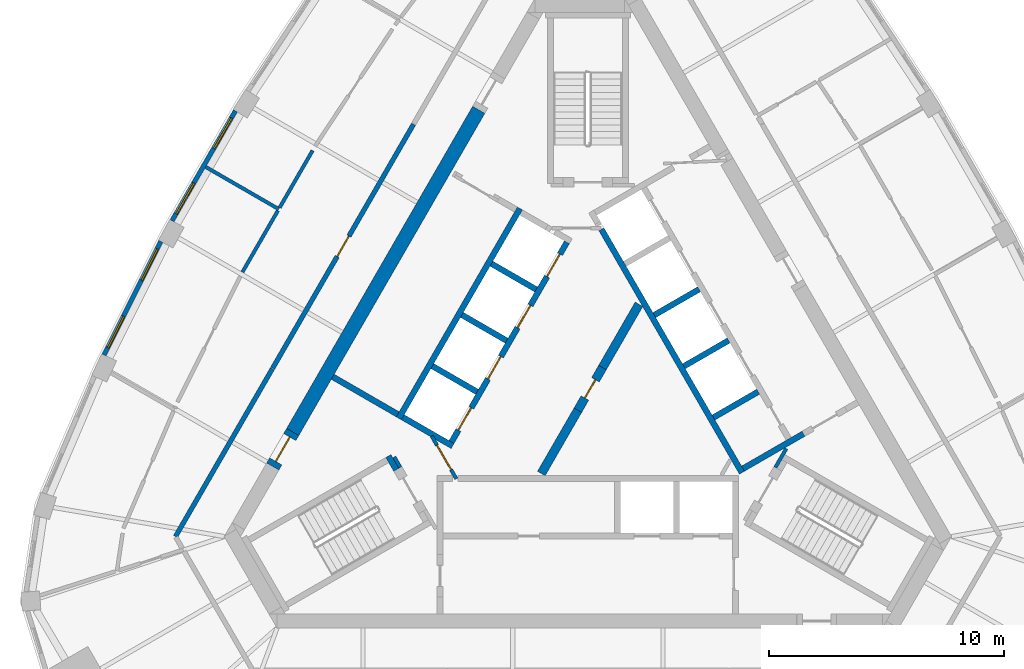
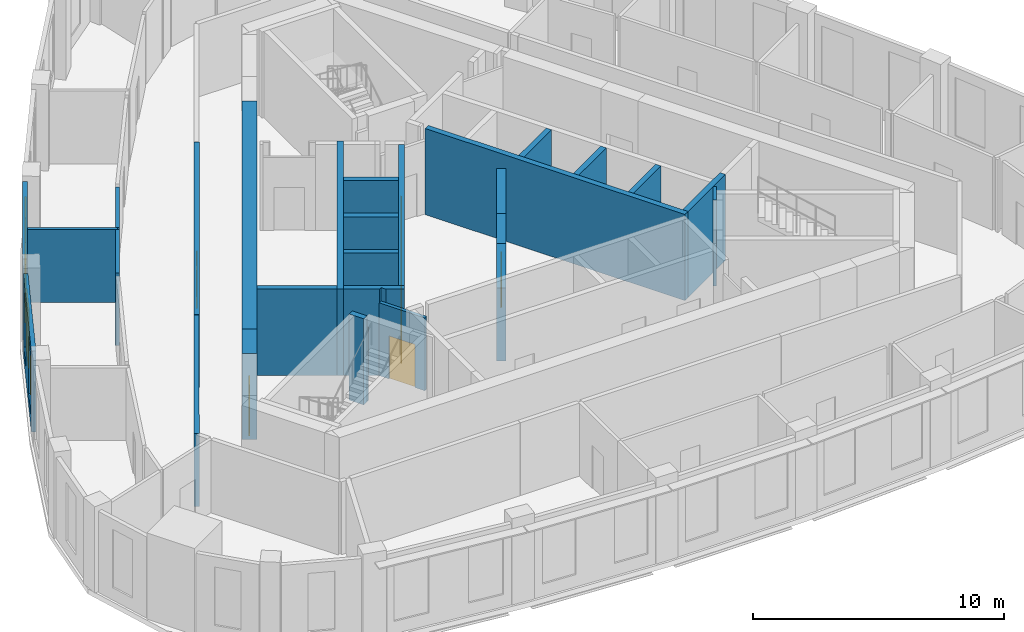
# One storey, part 5 of 10: 28 walls, 8 doors, 4 windows, 12 openings.
"""IFC4 building model written with IfcOpenShell, lengths in metres."""

from ifc_helpers import new_model, si_unit, direction, frame, frame_2d, origin, place, context, subcontext, project, spatial, polyline, rectangle, outline, extrude, material, layer, layer_set, type_object, element, fill, save


model = new_model("IFC4")

# Units and contexts
model_context = context("Model", 3, precision=1e-05, world=origin(), true_north=direction((0.0, 1.0)))
body_context = subcontext(model_context, "Body", "Model", "MODEL_VIEW")
ifc_project = project(units=[si_unit("LENGTHUNIT", "METRE"), si_unit("AREAUNIT", "SQUARE_METRE"), si_unit("VOLUMEUNIT", "CUBIC_METRE"), si_unit("PLANEANGLEUNIT", "RADIAN"), si_unit("MASSUNIT", "GRAM", prefix="KILO")], contexts=[model_context])

# Site, building, storey
site_placement = place(None, origin())
site = spatial("IfcSite", under=ifc_project, at=site_placement, CompositionType="ELEMENT")
building_placement = place(site_placement, origin())
building = spatial("IfcBuilding", under=site, at=building_placement, Name="Mestral Congress Tower", CompositionType="ELEMENT")
storey_placement = place(building_placement, frame((0.0, 0.0, 267.0)))
storey = spatial("IfcBuildingStorey", under=building, at=storey_placement, Name="L62", CompositionType="ELEMENT", Elevation=267.0)

# Walls
ifc_material_1 = material(Name="Fire-rated board partition")
ifc_layer_1 = layer(ifc_material_1, 0.14990234375)
ifc_layer_set_1 = layer_set([ifc_layer_1], Name="Fire-rated board partition")
wall_type_1 = type_object("IfcWallType", Name="Core partition 150", PredefinedType="PARTITIONING", material=ifc_layer_set_1)
wall_1_placement = place(storey_placement, frame((-8.251953125, -2.958251953125, 0.0), z_axis=(0.0, 0.0, 1.0), x_axis=(0.500174715838, -0.865924508047, 0.0)))
element("IfcWall", 1, at=wall_1_placement, inside=storey, type_object=wall_type_1, Name="L62 core wall", PredefinedType="PARTITIONING", context=body_context, shape_type="SweptSolid", body=[
    extrude(rectangle(XDim=0.513916015625, YDim=0.14990234375, at=frame_2d((0.2568359375, 0.0))), origin(), (0.0, 0.0, 1.0), 3.550048828125),
])
placement = place(storey_placement, origin())
element("IfcWall", 2, at=placement, inside=storey, type_object=wall_type_1, Name="L62 core wall", PredefinedType="PARTITIONING", context=body_context, shape_type="SweptSolid", body=[
    extrude(outline(polyline([(2.016845703125, 3.64306640625), (2.341552734375, 3.45556640625), (0.784912109375, 0.759521484375), (0.460205078125, 0.947021484375), (2.016845703125, 3.64306640625)])), origin(), (0.0, 0.0, 1.0), 3.550048828125),
])
element("IfcWall", 3, at=placement, inside=storey, type_object=wall_type_1, Name="L62 core wall", PredefinedType="PARTITIONING", context=body_context, shape_type="SweptSolid", body=[
    extrude(outline(polyline([(-0.590087890625, -0.871826171875), (-0.26513671875, -1.059326171875), (-1.822021484375, -3.755615234375), (-2.146728515625, -3.568115234375), (-0.590087890625, -0.871826171875)])), origin(), (0.0, 0.0, 1.0), 3.550048828125),
])

# Wall, opening, door
wall_4_placement = place(storey_placement, frame((-5.606201171875, -3.8896484375, 0.0), z_axis=(0.0, 0.0, 1.0), x_axis=(-0.500027713859, 0.866009402589, 0.0)))
wall_4 = element("IfcWall", 4, at=wall_4_placement, inside=storey, type_object=wall_type_1, Name="L62 door wall", PredefinedType="PARTITIONING", context=body_context, shape_type="SweptSolid", body=[
    extrude(rectangle(XDim=2.10009765625, YDim=0.14990234375, at=frame_2d((1.050048828125, 0.0))), origin(), (0.0, 0.0, 1.0), 3.550048828125),
])
opening_1_placement = place(wall_4_placement, frame((0.449951171875, 0.0, 0.0)))
opening_1 = element("IfcOpeningElement", 5, at=opening_1_placement, cuts=wall_4, Name="Opening CD3-FF", PredefinedType="OPENING", context=body_context, shape_type="SweptSolid", body=[
    extrude(rectangle(XDim=1.199951171875, YDim=2.10009765625, at=frame_2d((0.60009765625, 1.050048828125))), frame((0.0, 0.0849609375, 0.0), z_axis=(0.0, -1.0, 0.0), x_axis=(1.0, 0.0, 0.0)), (0.0, 0.0, 1.0), 0.169921875),
])
ifc_material_2 = material(Name="Fire-rated steel door set", Category="steel")
door_type_1 = type_object("IfcDoorType", Name="Core door CD 1200x2100", OperationType="SINGLE_SWING_LEFT", PredefinedType="DOOR", material=ifc_material_2)
door_1_placement = place(opening_1_placement, origin())
door_1 = element("IfcDoor", 6, at=door_1_placement, inside=storey, type_object=door_type_1, Name="Door CD3-FF", OperationType="SINGLE_SWING_LEFT", OverallHeight=2.10009765625, OverallWidth=1.199951171875, PredefinedType="DOOR", context=body_context, shape_type="SweptSolid", body=[
    extrude(rectangle(XDim=1.199951171875, YDim=2.10009765625, at=frame_2d((0.60009765625, 1.050048828125))), frame((0.0, 0.02490234375, 0.0), z_axis=(0.0, -1.0, 0.0), x_axis=(1.0, 0.0, 0.0)), (0.0, 0.0, 1.0), 0.050048828125),
])
fill(opening_1, door_1)

ifc_layer_2 = layer(ifc_material_1, 0.375)
ifc_layer_set_2 = layer_set([ifc_layer_2], Name="Fire-rated board partition")
wall_type_2 = type_object("IfcWallType", Name="Core partition 150 door-wall 375", PredefinedType="PARTITIONING", material=ifc_layer_set_2)
wall_5_placement = place(storey_placement, frame((-0.427490234375, -0.965576171875, 0.0), z_axis=(0.0, 0.0, 1.0), x_axis=(0.49994051562, 0.866059744384, 0.0)))
wall_5 = element("IfcWall", 7, at=wall_5_placement, inside=storey, type_object=wall_type_2, Name="L62 door wall", PredefinedType="PARTITIONING", context=body_context, shape_type="SweptSolid", body=[
    extrude(rectangle(XDim=2.099853515625, YDim=0.375, at=frame_2d((1.0498046875, 0.0))), origin(), (0.0, 0.0, 1.0), 3.550048828125),
])
opening_2_placement = place(wall_5_placement, frame((0.60009765625, 0.0, 0.0)))
opening_2 = element("IfcOpeningElement", 8, at=opening_2_placement, cuts=wall_5, Name="Opening CD1-HUB0", PredefinedType="OPENING", context=body_context, shape_type="SweptSolid", body=[
    extrude(rectangle(XDim=0.89990234375, YDim=2.10009765625, at=frame_2d((0.449951171875, 1.050048828125))), frame((0.0, 0.197509765625, 0.0), z_axis=(0.0, -1.0, 0.0), x_axis=(1.0, 0.0, 0.0)), (0.0, 0.0, 1.0), 0.39501953125),
])
door_type_2 = type_object("IfcDoorType", Name="Core door CD 900x2100", OperationType="SINGLE_SWING_LEFT", PredefinedType="DOOR", material=ifc_material_2)
door_2_placement = place(opening_2_placement, origin())
door_2 = element("IfcDoor", 9, at=door_2_placement, inside=storey, type_object=door_type_2, Name="Door CD1-HUB0", OperationType="SINGLE_SWING_LEFT", OverallHeight=2.10009765625, OverallWidth=0.89990234375, PredefinedType="DOOR", context=body_context, shape_type="SweptSolid", body=[
    extrude(rectangle(XDim=0.89990234375, YDim=2.10009765625, at=frame_2d((0.449951171875, 1.050048828125))), frame((0.0, 0.02490234375, 0.0), z_axis=(0.0, -1.0, 0.0), x_axis=(1.0, 0.0, 0.0)), (0.0, 0.0, 1.0), 0.050048828125),
])
fill(opening_2, door_2)

# Wall
ifc_material_3 = material(Name="Concrete C60/75", Category="concrete")
ifc_layer_3 = layer(ifc_material_3, 0.60009765625)
ifc_layer_set_3 = layer_set([ifc_layer_3], Name="Concrete C60/75")
wall_type_3 = type_object("IfcWallType", Name="Core wall RC 600", PredefinedType="SOLIDWALL", material=ifc_layer_set_3)
wall_6_placement = place(storey_placement, frame((-4.65234375, 11.841796875, 0.0), z_axis=(0.0, 0.0, 1.0), x_axis=(-0.500003640647, -0.866023301845, 0.0)))
element("IfcWall", 10, at=wall_6_placement, inside=storey, type_object=wall_type_3, Name="L62 core wall", PredefinedType="SOLIDWALL", context=body_context, shape_type="SweptSolid", body=[
    extrude(rectangle(XDim=15.8583984375, YDim=0.60009765625, at=frame_2d((7.92919921875, 0.0))), origin(), (0.0, 0.0, 1.0), 4.199951171875),
])

# Wall, opening, door
wall_7_placement = place(storey_placement, frame((-13.431640625, -3.3642578125, 0.0), z_axis=(0.0, 0.0, 1.0), x_axis=(0.500000056704, 0.866025371046, 0.0)))
wall_7 = element("IfcWall", 11, at=wall_7_placement, inside=storey, type_object=wall_type_3, Name="L62 door wall", PredefinedType="SOLIDWALL", context=body_context, shape_type="SweptSolid", body=[
    extrude(rectangle(XDim=1.7001953125, YDim=0.60009765625, at=frame_2d((0.85009765625, 0.0))), origin(), (0.0, 0.0, 1.0), 4.199951171875),
])
opening_3_placement = place(wall_7_placement, frame((0.25, 0.0, 0.0)))
opening_3 = element("IfcOpeningElement", 12, at=opening_3_placement, cuts=wall_7, Name="Opening XD3", PredefinedType="OPENING", context=body_context, shape_type="SweptSolid", body=[
    extrude(rectangle(XDim=1.199951171875, YDim=2.10009765625, at=frame_2d((0.60009765625, 1.050048828125))), frame((0.0, 0.31005859375, 0.0), z_axis=(0.0, -1.0, 0.0), x_axis=(1.0, 0.0, 0.0)), (0.0, 0.0, 1.0), 0.6201171875),
])
door_type_3 = type_object("IfcDoorType", Name="Core door XD 1200x2100", OperationType="SINGLE_SWING_LEFT", PredefinedType="DOOR", material=ifc_material_2)
door_3_placement = place(opening_3_placement, origin())
door_3 = element("IfcDoor", 13, at=door_3_placement, inside=storey, type_object=door_type_3, Name="Door XD3", OperationType="SINGLE_SWING_LEFT", OverallHeight=2.10009765625, OverallWidth=1.199951171875, PredefinedType="DOOR", context=body_context, shape_type="SweptSolid", body=[
    extrude(rectangle(XDim=1.199951171875, YDim=2.10009765625, at=frame_2d((0.60009765625, 1.050048828125))), frame((0.0, 0.02490234375, 0.0), z_axis=(0.0, -1.0, 0.0), x_axis=(1.0, 0.0, 0.0)), (0.0, 0.0, 1.0), 0.050048828125),
])
fill(opening_3, door_3)

# Wall, openings, windows
ifc_material_4 = material(Name="Precast concrete C40/50 with limestone facing", Category="masonry")
ifc_layer_4 = layer(ifc_material_4, 0.18994140625)
ifc_layer_set_4 = layer_set([ifc_layer_4], Name="Precast concrete C40/50 with limestone facing")
wall_type_4 = type_object("IfcWallType", Name="Facade stone wall 190", PredefinedType="SOLIDWALL", material=ifc_layer_set_4)
wall_8_placement = place(storey_placement, frame((-15.025146484375, 11.7958984375, 0.0), z_axis=(0.0, 0.0, 1.0), x_axis=(-0.500024767483, -0.866011103799, 0.0)))
wall_8 = element("IfcWall", 14, at=wall_8_placement, inside=storey, type_object=wall_type_4, Name="Facade wall F2-02", PredefinedType="SOLIDWALL", context=body_context, shape_type="SweptSolid", body=[
    extrude(rectangle(XDim=5.406005859375, YDim=0.18994140625, at=frame_2d((2.703125, 0.0))), origin(), (0.0, 0.0, 1.0), 3.949951171875),
])
opening_4_placement = place(wall_8_placement, frame((0.346435546875, 0.0, 0.60009765625)))
opening_4 = element("IfcOpeningElement", 15, at=opening_4_placement, cuts=wall_8, Name="Opening W6", PredefinedType="OPENING", context=body_context, shape_type="SweptSolid", body=[
    extrude(rectangle(XDim=1.5, YDim=2.85009765625, at=frame_2d((0.75, 1.425048828125))), frame((0.0, 0.10498046875, 0.0), z_axis=(0.0, -1.0, 0.0), x_axis=(1.0, 0.0, 0.0)), (0.0, 0.0, 1.0), 0.2099609375),
])
opening_5_placement = place(wall_8_placement, frame((3.559326171875, 0.0, 0.60009765625)))
opening_5 = element("IfcOpeningElement", 16, at=opening_5_placement, cuts=wall_8, Name="Opening W6", PredefinedType="OPENING", context=body_context, shape_type="SweptSolid", body=[
    extrude(rectangle(XDim=1.5, YDim=2.85009765625, at=frame_2d((0.75, 1.425048828125))), frame((0.0, 0.10498046875, 0.0), z_axis=(0.0, -1.0, 0.0), x_axis=(1.0, 0.0, 0.0)), (0.0, 0.0, 1.0), 0.2099609375),
])
ifc_material_5 = material(Name="Clear low-emissivity double glazing", Category="glass")
window_type = type_object("IfcWindowType", Name="Facade punched window 1500 x 2850 sill 600", PartitioningType="SINGLE_PANEL", PredefinedType="WINDOW", material=ifc_material_5)
window_1_placement = place(opening_4_placement, origin())
window_1 = element("IfcWindow", 17, at=window_1_placement, inside=storey, type_object=window_type, Name="Window F2-02a", OverallHeight=2.85009765625, OverallWidth=1.5, PartitioningType="SINGLE_PANEL", PredefinedType="WINDOW", context=body_context, shape_type="SweptSolid", body=[
    extrude(rectangle(XDim=1.5, YDim=2.85009765625, at=frame_2d((0.75, 1.425048828125))), frame((0.0, 0.044921875, 0.0), z_axis=(0.0, -1.0, 0.0), x_axis=(1.0, 0.0, 0.0)), (0.0, 0.0, 1.0), 0.06005859375),
])
fill(opening_4, window_1)
window_2_placement = place(opening_5_placement, origin())
window_2 = element("IfcWindow", 18, at=window_2_placement, inside=storey, type_object=window_type, Name="Window F2-02b", OverallHeight=2.85009765625, OverallWidth=1.5, PartitioningType="SINGLE_PANEL", PredefinedType="WINDOW", context=body_context, shape_type="SweptSolid", body=[
    extrude(rectangle(XDim=1.5, YDim=2.85009765625, at=frame_2d((0.75, 1.425048828125))), frame((0.0, 0.044921875, 0.0), z_axis=(0.0, -1.0, 0.0), x_axis=(1.0, 0.0, 0.0)), (0.0, 0.0, 1.0), 0.06005859375),
])
fill(opening_5, window_2)

wall_9_placement = place(storey_placement, frame((-18.205810546875, 6.226806640625, 0.0), z_axis=(0.0, 0.0, 1.0), x_axis=(-0.447484531401, -0.894291671747, 0.0)))
wall_9 = element("IfcWall", 19, at=wall_9_placement, inside=storey, type_object=wall_type_4, Name="Facade wall F2-03", PredefinedType="SOLIDWALL", context=body_context, shape_type="SweptSolid", body=[
    extrude(rectangle(XDim=5.40625, YDim=0.18994140625, at=frame_2d((2.703125, 0.0))), origin(), (0.0, 0.0, 1.0), 3.949951171875),
])
opening_6_placement = place(wall_9_placement, frame((0.346435546875, 0.0, 0.60009765625)))
opening_6 = element("IfcOpeningElement", 20, at=opening_6_placement, cuts=wall_9, Name="Opening W6", PredefinedType="OPENING", context=body_context, shape_type="SweptSolid", body=[
    extrude(rectangle(XDim=1.5, YDim=2.85009765625, at=frame_2d((0.75, 1.425048828125))), frame((0.0, 0.10498046875, 0.0), z_axis=(0.0, -1.0, 0.0), x_axis=(1.0, 0.0, 0.0)), (0.0, 0.0, 1.0), 0.2099609375),
])
opening_7_placement = place(wall_9_placement, frame((3.559326171875, 0.0, 0.60009765625)))
opening_7 = element("IfcOpeningElement", 21, at=opening_7_placement, cuts=wall_9, Name="Opening W6", PredefinedType="OPENING", context=body_context, shape_type="SweptSolid", body=[
    extrude(rectangle(XDim=1.5, YDim=2.85009765625, at=frame_2d((0.75, 1.425048828125))), frame((0.0, 0.10498046875, 0.0), z_axis=(0.0, -1.0, 0.0), x_axis=(1.0, 0.0, 0.0)), (0.0, 0.0, 1.0), 0.2099609375),
])
window_3_placement = place(opening_6_placement, origin())
window_3 = element("IfcWindow", 22, at=window_3_placement, inside=storey, type_object=window_type, Name="Window F2-03a", OverallHeight=2.85009765625, OverallWidth=1.5, PartitioningType="SINGLE_PANEL", PredefinedType="WINDOW", context=body_context, shape_type="SweptSolid", body=[
    extrude(rectangle(XDim=1.5, YDim=2.85009765625, at=frame_2d((0.75, 1.425048828125))), frame((0.0, 0.044921875, 0.0), z_axis=(0.0, -1.0, 0.0), x_axis=(1.0, 0.0, 0.0)), (0.0, 0.0, 1.0), 0.06005859375),
])
fill(opening_6, window_3)
window_4_placement = place(opening_7_placement, origin())
window_4 = element("IfcWindow", 23, at=window_4_placement, inside=storey, type_object=window_type, Name="Window F2-03b", OverallHeight=2.85009765625, OverallWidth=1.5, PartitioningType="SINGLE_PANEL", PredefinedType="WINDOW", context=body_context, shape_type="SweptSolid", body=[
    extrude(rectangle(XDim=1.5, YDim=2.85009765625, at=frame_2d((0.75, 1.425048828125))), frame((0.0, 0.044921875, 0.0), z_axis=(0.0, -1.0, 0.0), x_axis=(1.0, 0.0, 0.0)), (0.0, 0.0, 1.0), 0.06005859375),
])
fill(opening_7, window_4)

# Walls
ifc_material_6 = material(Name="Plasterboard partition on steel studs", Category="steel")
ifc_layer_5 = layer(ifc_material_6, 0.14990234375)
ifc_layer_set_5 = layer_set([ifc_layer_5], Name="Plasterboard partition on steel studs")
wall_type_5 = type_object("IfcWallType", Name="Office partition 150", PredefinedType="PARTITIONING", material=ifc_layer_set_5)
wall_10_placement = place(storey_placement, frame((-13.1767578125, 7.607666015625, 0.0), z_axis=(0.0, 0.0, 1.0), x_axis=(-0.866018442252, 0.500012057535, 0.0)))
element("IfcWall", 24, at=wall_10_placement, inside=storey, type_object=wall_type_5, Name="Partition", PredefinedType="PARTITIONING", context=body_context, shape_type="SweptSolid", body=[
    extrude(rectangle(XDim=3.60009765625, YDim=0.14990234375, at=frame_2d((1.800048828125, 0.0))), origin(), (0.0, 0.0, 1.0), 3.550048828125),
])
wall_11_placement = place(storey_placement, frame((-11.735595703125, 10.10400390625, 0.0), z_axis=(0.0, 0.0, 1.0), x_axis=(-0.500011000363, -0.866019052629, 0.0)))
element("IfcWall", 25, at=wall_11_placement, inside=storey, type_object=wall_type_5, Name="Partition", PredefinedType="PARTITIONING", context=body_context, shape_type="SweptSolid", body=[
    extrude(rectangle(XDim=2.8076171875, YDim=0.14990234375, at=frame_2d((1.40380859375, 0.0))), origin(), (0.0, 0.0, 1.0), 3.550048828125),
])
wall_12_placement = place(storey_placement, frame((-13.21435546875, 7.542724609375, 0.0), z_axis=(0.0, 0.0, 1.0), x_axis=(-0.499927597274, -0.866067201483, 0.0)))
element("IfcWall", 26, at=wall_12_placement, inside=storey, type_object=wall_type_5, Name="Partition", PredefinedType="PARTITIONING", context=body_context, shape_type="SweptSolid", body=[
    extrude(rectangle(XDim=3.02197265625, YDim=0.14990234375, at=frame_2d((1.510986328125, 0.0))), origin(), (0.0, 0.0, 1.0), 3.550048828125),
])

# Wall, opening, door
ifc_material_7 = material(Name="Dense masonry wall, plastered", Category="masonry")
ifc_layer_6 = layer(ifc_material_7, 0.199951171875)
ifc_layer_set_6 = layer_set([ifc_layer_6], Name="Dense masonry wall, plastered")
wall_type_6 = type_object("IfcWallType", Name="Office tenancy wall 200", PredefinedType="PARTITIONING", material=ifc_layer_set_6)
wall_13_placement = place(storey_placement, frame((-7.435546875, 11.22119140625, 0.0), z_axis=(0.0, 0.0, 1.0), x_axis=(-0.49999894854, -0.866026010844, 0.0)))
wall_13 = element("IfcWall", 27, at=wall_13_placement, inside=storey, type_object=wall_type_6, Name="Tenancy wall", PredefinedType="PARTITIONING", context=body_context, shape_type="SweptSolid", body=[
    extrude(rectangle(XDim=12.0, YDim=0.199951171875, at=frame_2d((6.0, 0.0))), origin(), (0.0, 0.0, 1.0), 3.550048828125),
])
opening_8_placement = place(wall_13_placement, frame((5.5, 0.0, 0.0)))
opening_8 = element("IfcOpeningElement", 28, at=opening_8_placement, cuts=wall_13, Name="Opening O11-018", PredefinedType="OPENING", context=body_context, shape_type="SweptSolid", body=[
    extrude(rectangle(XDim=1.0, YDim=2.10009765625, at=frame_2d((0.5, 1.050048828125))), frame((0.0, 0.10986328125, 0.0), z_axis=(0.0, -1.0, 0.0), x_axis=(1.0, 0.0, 0.0)), (0.0, 0.0, 1.0), 0.219970703125),
])
ifc_material_8 = material(Name="Fire-rated timber door set", Category="wood")
door_type_4 = type_object("IfcDoorType", Name="Office tenancy entrance door 1000x2100", OperationType="SINGLE_SWING_LEFT", PredefinedType="DOOR", material=ifc_material_8)
door_4_placement = place(opening_8_placement, origin())
door_4 = element("IfcDoor", 29, at=door_4_placement, inside=storey, type_object=door_type_4, Name="Door O11-018", OperationType="SINGLE_SWING_RIGHT", OverallHeight=2.10009765625, OverallWidth=1.0, PredefinedType="DOOR", context=body_context, shape_type="SweptSolid", body=[
    extrude(rectangle(XDim=1.0, YDim=2.10009765625, at=frame_2d((0.5, 1.050048828125))), frame((0.0, 0.02490234375, 0.0), z_axis=(0.0, -1.0, 0.0), x_axis=(1.0, 0.0, 0.0)), (0.0, 0.0, 1.0), 0.050048828125),
])
fill(opening_8, door_4)

# Walls
wall_14_placement = place(storey_placement, frame((-13.45068359375, 0.802978515625, 0.0), z_axis=(0.0, 0.0, 1.0), x_axis=(-0.499982585408, -0.86603545787, 0.0)))
element("IfcWall", 30, at=wall_14_placement, inside=storey, type_object=wall_type_6, Name="Tenancy wall", PredefinedType="PARTITIONING", context=body_context, shape_type="SweptSolid", body=[
    extrude(rectangle(XDim=8.259521484375, YDim=0.199951171875, at=frame_2d((4.1298828125, 0.0))), origin(), (0.0, 0.0, 1.0), 3.550048828125),
])
ifc_layer_7 = layer(ifc_material_3, 0.25)
ifc_layer_set_7 = layer_set([ifc_layer_7], Name="Concrete C60/75")
wall_type_7 = type_object("IfcWallType", Name="Shaft wall RC 250", PredefinedType="SOLIDWALL", material=ifc_layer_set_7)
wall_15_placement = place(storey_placement, frame((6.568359375, -3.626708984375, 0.0), z_axis=(0.0, 0.0, 1.0), x_axis=(-0.499999455981, 0.866025717874, 0.0)))
element("IfcWall", 31, at=wall_15_placement, inside=storey, type_object=wall_type_7, Name="L62 core wall", PredefinedType="SOLIDWALL", context=body_context, shape_type="SweptSolid", body=[
    extrude(rectangle(XDim=11.97802734375, YDim=0.25, at=frame_2d((5.989013671875, 0.0))), origin(), (0.0, 0.0, 1.0), 4.199951171875),
])
for number, where, z_axis, x_axis, name in (
    (32, (2.833984375, 3.091064453125, 0.0), (0.0, 0.0, 1.0), (0.866008176907, 0.50002983664, 0.0), "L62 core wall"),
    (33, (4.093994140625, 0.90869140625, 0.0), (0.0, 0.0, 1.0), (0.866008176907, 0.50002983664, 0.0), "L62 core wall"),
    (34, (5.35400390625, -1.273681640625, 0.0), (0.0, 0.0, 1.0), (0.866008176907, 0.50002983664, 0.0), "L62 core wall"),
):
    element("IfcWall", number, at=place(storey_placement, frame(where, z_axis=z_axis, x_axis=x_axis)), inside=storey, type_object=wall_type_7, Name=name, PredefinedType="SOLIDWALL", context=body_context, shape_type="SweptSolid", body=[
        extrude(rectangle(XDim=2.199951171875, YDim=0.25, at=frame_2d((1.10009765625, 0.0))), origin(), (0.0, 0.0, 1.0), 4.199951171875),
    ])
wall_16_placement = place(storey_placement, frame((6.614013671875, -3.4560546875, 0.0), z_axis=(0.0, 0.0, 1.0), x_axis=(0.866032512851, 0.499987686533, 0.0)))
element("IfcWall", 35, at=wall_16_placement, inside=storey, type_object=wall_type_7, Name="L62 core wall", PredefinedType="SOLIDWALL", context=body_context, shape_type="SweptSolid", body=[
    extrude(rectangle(XDim=2.974609375, YDim=0.25, at=frame_2d((1.4873046875, 0.0))), origin(), (0.0, 0.0, 1.0), 4.199951171875),
])
wall_17_placement = place(storey_placement, frame((-8.06005859375, -1.310546875, 0.0), z_axis=(0.0, 0.0, 1.0), x_axis=(0.50000273126, 0.866023826885, 0.0)))
element("IfcWall", 36, at=wall_17_placement, inside=storey, type_object=wall_type_7, Name="L62 core wall", PredefinedType="SOLIDWALL", context=body_context, shape_type="SweptSolid", body=[
    extrude(rectangle(XDim=10.330078125, YDim=0.25, at=frame_2d((5.1650390625, 0.0))), origin(), (0.0, 0.0, 1.0), 4.199951171875),
])
for number, where, z_axis, x_axis, name in (
    (37, (-2.2041015625, 4.182373046875, 0.0), (0.0, 0.0, 1.0), (-0.866008176907, 0.50002983664, 0.0), "L62 core wall"),
    (38, (-5.369384765625, 3.10009765625, 0.0), (0.0, 0.0, 1.0), (0.866008176907, -0.50002983664, 0.0), "L62 core wall"),
    (39, (-4.72412109375, -0.182373046875, 0.0), (0.0, 0.0, 1.0), (-0.866008176907, 0.50002983664, 0.0), "L62 core wall"),
):
    element("IfcWall", number, at=place(storey_placement, frame(where, z_axis=z_axis, x_axis=x_axis)), inside=storey, type_object=wall_type_7, Name=name, PredefinedType="SOLIDWALL", context=body_context, shape_type="SweptSolid", body=[
        extrude(rectangle(XDim=2.199951171875, YDim=0.25, at=frame_2d((1.10009765625, 0.0))), origin(), (0.0, 0.0, 1.0), 4.199951171875),
    ])
element("IfcWall", 40, at=placement, inside=storey, type_object=wall_type_7, Name="L62 core wall", PredefinedType="SOLIDWALL", context=body_context, shape_type="SweptSolid", body=[
    extrude(outline(polyline([(-5.921630859375, -2.256591796875), (-5.921630859375, -2.256591796875), (-5.705078125, -2.381591796875), (-5.830078125, -2.597900390625), (-6.48291015625, -2.22119140625), (-6.59130859375, -2.033447265625), (-6.59130859375, -2.033447265625), (-6.69970703125, -2.095947265625), (-7.951904296875, -1.373046875), (-7.826904296875, -1.156494140625), (-5.921630859375, -2.256591796875)])), origin(), (0.0, 0.0, 1.0), 4.199951171875),
])
wall_19_placement = place(storey_placement, frame((-8.10595703125, -1.139892578125, 0.0), z_axis=(0.0, 0.0, 1.0), x_axis=(-0.866008981251, 0.500028443584, 0.0)))
element("IfcWall", 41, at=wall_19_placement, inside=storey, type_object=wall_type_7, Name="L62 core wall", PredefinedType="SOLIDWALL", context=body_context, shape_type="SweptSolid", body=[
    extrude(rectangle(XDim=3.199951171875, YDim=0.25, at=frame_2d((1.60009765625, 0.0))), origin(), (0.0, 0.0, 1.0), 4.199951171875),
])

# Wall, openings, doors
wall_20_placement = place(storey_placement, frame((-0.898193359375, 6.194091796875, 0.0), z_axis=(0.0, 0.0, 1.0), x_axis=(-0.499996202215, -0.866027596426, 0.0)))
wall_20 = element("IfcWall", 42, at=wall_20_placement, inside=storey, type_object=wall_type_7, Name="L62 door wall", PredefinedType="SOLIDWALL", context=body_context, shape_type="SweptSolid", body=[
    extrude(rectangle(XDim=9.830078125, YDim=0.25, at=frame_2d((4.9150390625, 0.0))), origin(), (0.0, 0.0, 1.0), 4.199951171875),
])
opening_9_placement = place(wall_20_placement, frame((0.5849609375, 0.0, 0.0)))
opening_9 = element("IfcOpeningElement", 43, at=opening_9_placement, cuts=wall_20, Name="Opening LD-NWB1", PredefinedType="OPENING", context=body_context, shape_type="SweptSolid", body=[
    extrude(rectangle(XDim=1.10009765625, YDim=2.10009765625, at=frame_2d((0.550048828125, 1.050048828125))), frame((0.0, 0.135009765625, 0.0), z_axis=(0.0, -1.0, 0.0), x_axis=(1.0, 0.0, 0.0)), (0.0, 0.0, 1.0), 0.27001953125),
])
opening_10_placement = place(wall_20_placement, frame((3.10498046875, 0.0, 0.0)))
opening_10 = element("IfcOpeningElement", 44, at=opening_10_placement, cuts=wall_20, Name="Opening LD-NWB2", PredefinedType="OPENING", context=body_context, shape_type="SweptSolid", body=[
    extrude(rectangle(XDim=1.10009765625, YDim=2.10009765625, at=frame_2d((0.550048828125, 1.050048828125))), frame((0.0, 0.135009765625, 0.0), z_axis=(0.0, -1.0, 0.0), x_axis=(1.0, 0.0, 0.0)), (0.0, 0.0, 1.0), 0.27001953125),
])
opening_11_placement = place(wall_20_placement, frame((5.625, 0.0, 0.0)))
opening_11 = element("IfcOpeningElement", 45, at=opening_11_placement, cuts=wall_20, Name="Opening LD-NWB3", PredefinedType="OPENING", context=body_context, shape_type="SweptSolid", body=[
    extrude(rectangle(XDim=1.10009765625, YDim=2.10009765625, at=frame_2d((0.550048828125, 1.050048828125))), frame((0.0, 0.135009765625, 0.0), z_axis=(0.0, -1.0, 0.0), x_axis=(1.0, 0.0, 0.0)), (0.0, 0.0, 1.0), 0.27001953125),
])
opening_12_placement = place(wall_20_placement, frame((8.14501953125, 0.0, 0.0)))
opening_12 = element("IfcOpeningElement", 46, at=opening_12_placement, cuts=wall_20, Name="Opening LD-NWB4", PredefinedType="OPENING", context=body_context, shape_type="SweptSolid", body=[
    extrude(rectangle(XDim=1.10009765625, YDim=2.10009765625, at=frame_2d((0.550048828125, 1.050048828125))), frame((0.0, 0.135009765625, 0.0), z_axis=(0.0, -1.0, 0.0), x_axis=(1.0, 0.0, 0.0)), (0.0, 0.0, 1.0), 0.27001953125),
])
door_type_5 = type_object("IfcDoorType", Name="Core door LD 1100x2100", OperationType="DOUBLE_DOOR_SLIDING", PredefinedType="DOOR", material=ifc_material_2)
door_5_placement = place(opening_9_placement, origin())
door_5 = element("IfcDoor", 47, at=door_5_placement, inside=storey, type_object=door_type_5, Name="Door LD-NWB1", OperationType="DOUBLE_DOOR_SLIDING", OverallHeight=2.10009765625, OverallWidth=1.10009765625, PredefinedType="DOOR", context=body_context, shape_type="SweptSolid", body=[
    extrude(rectangle(XDim=1.10009765625, YDim=2.10009765625, at=frame_2d((0.550048828125, 1.050048828125))), frame((0.0, 0.02490234375, 0.0), z_axis=(0.0, -1.0, 0.0), x_axis=(1.0, 0.0, 0.0)), (0.0, 0.0, 1.0), 0.050048828125),
])
fill(opening_9, door_5)
door_6_placement = place(opening_10_placement, origin())
door_6 = element("IfcDoor", 48, at=door_6_placement, inside=storey, type_object=door_type_5, Name="Door LD-NWB2", OperationType="DOUBLE_DOOR_SLIDING", OverallHeight=2.10009765625, OverallWidth=1.10009765625, PredefinedType="DOOR", context=body_context, shape_type="SweptSolid", body=[
    extrude(rectangle(XDim=1.10009765625, YDim=2.10009765625, at=frame_2d((0.550048828125, 1.050048828125))), frame((0.0, 0.02490234375, 0.0), z_axis=(0.0, -1.0, 0.0), x_axis=(1.0, 0.0, 0.0)), (0.0, 0.0, 1.0), 0.050048828125),
])
fill(opening_10, door_6)
door_7_placement = place(opening_11_placement, origin())
door_7 = element("IfcDoor", 49, at=door_7_placement, inside=storey, type_object=door_type_5, Name="Door LD-NWB3", OperationType="DOUBLE_DOOR_SLIDING", OverallHeight=2.10009765625, OverallWidth=1.10009765625, PredefinedType="DOOR", context=body_context, shape_type="SweptSolid", body=[
    extrude(rectangle(XDim=1.10009765625, YDim=2.10009765625, at=frame_2d((0.550048828125, 1.050048828125))), frame((0.0, 0.02490234375, 0.0), z_axis=(0.0, -1.0, 0.0), x_axis=(1.0, 0.0, 0.0)), (0.0, 0.0, 1.0), 0.050048828125),
])
fill(opening_11, door_7)
door_8_placement = place(opening_12_placement, origin())
door_8 = element("IfcDoor", 50, at=door_8_placement, inside=storey, type_object=door_type_5, Name="Door LD-NWB4", OperationType="DOUBLE_DOOR_SLIDING", OverallHeight=2.10009765625, OverallWidth=1.10009765625, PredefinedType="DOOR", context=body_context, shape_type="SweptSolid", body=[
    extrude(rectangle(XDim=1.10009765625, YDim=2.10009765625, at=frame_2d((0.550048828125, 1.050048828125))), frame((0.0, 0.02490234375, 0.0), z_axis=(0.0, -1.0, 0.0), x_axis=(1.0, 0.0, 0.0)), (0.0, 0.0, 1.0), 0.050048828125),
])
fill(opening_12, door_8)

# Walls
ifc_layer_8 = layer(ifc_material_3, 0.14990234375)
ifc_layer_set_8 = layer_set([ifc_layer_8], Name="Concrete C60/75")
wall_type_8 = type_object("IfcWallType", Name="Shaft wall RC 250 door-wall 150", PredefinedType="SOLIDWALL", material=ifc_layer_set_8)
wall_21_placement = place(storey_placement, frame((8.459228515625, -2.59912109375, 0.0), z_axis=(0.0, 0.0, 1.0), x_axis=(-0.500041054325, -0.866001699761, 0.0)))
element("IfcWall", 51, at=wall_21_placement, inside=storey, type_object=wall_type_8, Name="L62 core wall", PredefinedType="PARTITIONING", context=body_context, shape_type="SweptSolid", body=[
    extrude(rectangle(XDim=0.9287109375, YDim=0.14990234375, at=frame_2d((0.46435546875, 0.0))), origin(), (0.0, 0.0, 1.0), 4.199951171875),
])
ifc_layer_9 = layer(ifc_material_3, 0.25)
ifc_layer_set_9 = layer_set([ifc_layer_9], Name="Concrete C60/75")
wall_type_9 = type_object("IfcWallType", Name="Stair wall RC 250", PredefinedType="SOLIDWALL", material=ifc_layer_set_9)
wall_22_placement = place(storey_placement, frame((-8.167724609375, -3.503173828125, 0.0), z_axis=(0.0, 0.0, 1.0), x_axis=(-0.499952099219, 0.866053057547, 0.0)))
element("IfcWall", 52, at=wall_22_placement, inside=storey, type_object=wall_type_9, Name="L62 core wall", PredefinedType="SOLIDWALL", context=body_context, shape_type="SweptSolid", body=[
    extrude(rectangle(XDim=0.6748046875, YDim=0.25, at=frame_2d((0.33740234375, 0.0))), origin(), (0.0, 0.0, 1.0), 4.199951171875),
])

save(model, "model.ifc")
